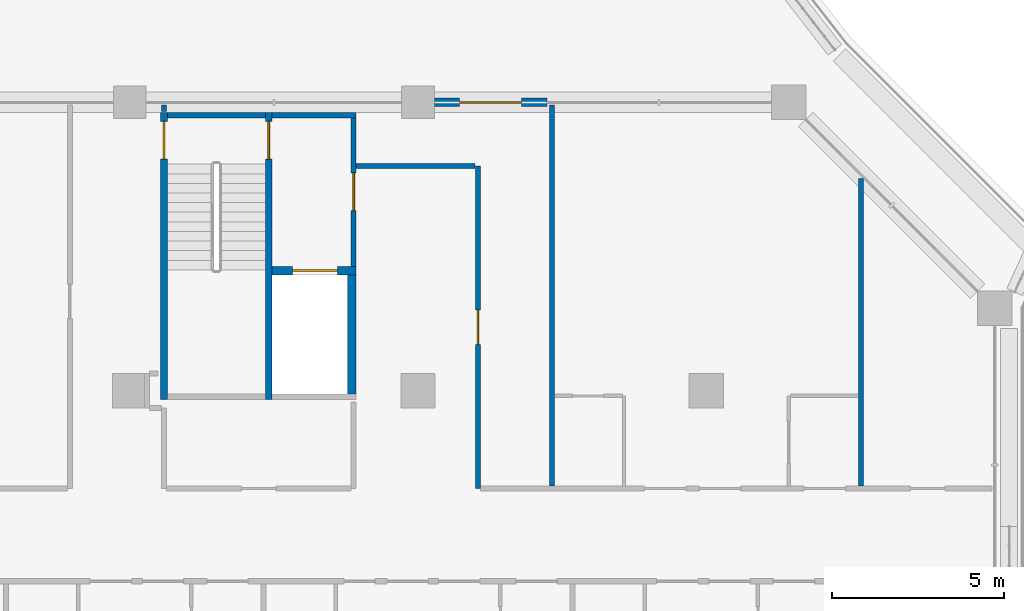
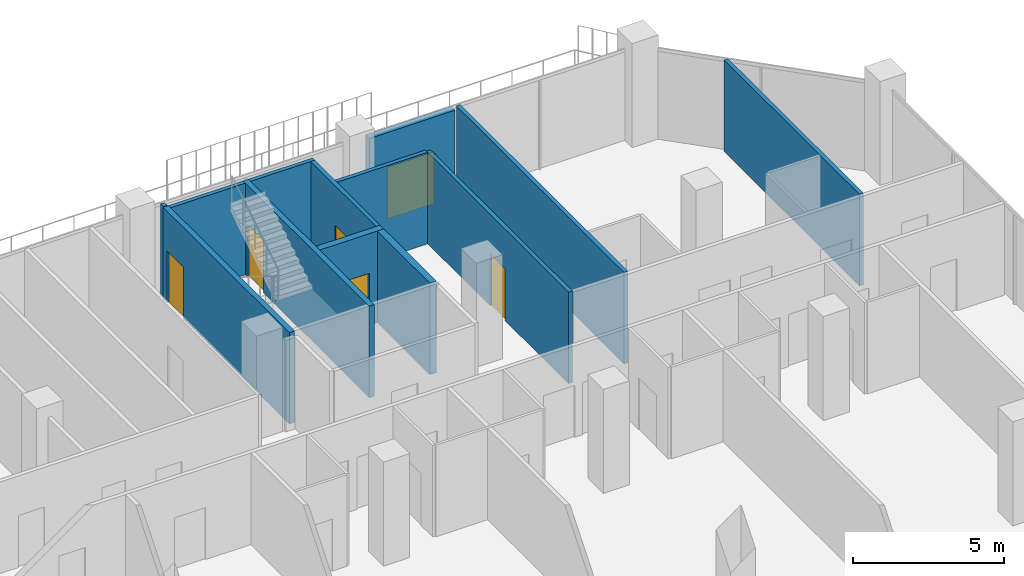
# One storey, part 14 of 22: 13 walls, 6 doors, 6 openings.
"""IFC4 building model written with IfcOpenShell, lengths in metres."""

from ifc_helpers import new_model, si_unit, direction, frame, frame_2d, origin, place, context, subcontext, project, spatial, rectangle, extrude, material, layer, layer_set, type_object, element, fill, save


model = new_model("IFC4")

# Units and contexts
model_context = context("Model", 3, precision=1e-05, world=origin(), true_north=direction((0.0, 1.0)))
body_context = subcontext(model_context, "Body", "Model", "MODEL_VIEW")
ifc_project = project(units=[si_unit("LENGTHUNIT", "METRE"), si_unit("AREAUNIT", "SQUARE_METRE"), si_unit("VOLUMEUNIT", "CUBIC_METRE"), si_unit("PLANEANGLEUNIT", "RADIAN"), si_unit("MASSUNIT", "GRAM", prefix="KILO")], contexts=[model_context])

# Site, building, storey
site_placement = place(None, origin())
site = spatial("IfcSite", under=ifc_project, at=site_placement, CompositionType="ELEMENT")
building_placement = place(site_placement, origin())
building = spatial("IfcBuilding", under=site, at=building_placement, Name="Kawkab Arch Medical Tower", CompositionType="ELEMENT")
storey_placement = place(building_placement, frame((0.0, 0.0, 208.800048828125)))
storey = spatial("IfcBuildingStorey", under=building, at=storey_placement, Name="L48", CompositionType="ELEMENT", Elevation=208.800048828125)

# Wall, opening, door
ifc_material_1 = material(Name="Gypsum board on steel studs", Category="steel")
ifc_layer_1 = layer(ifc_material_1, 0.14990234375)
ifc_layer_set_1 = layer_set([ifc_layer_1], Name="Gypsum board on steel studs")
wall_type_1 = type_object("IfcWallType", Name="Core room partition 150", PredefinedType="PARTITIONING", material=ifc_layer_set_1)
wall_1_placement = place(storey_placement, frame((48.52490234375, -4.77490234375, 0.0), z_axis=(0.0, 0.0, 1.0), x_axis=(0.0, 1.0, 0.0)))
wall_1 = element("IfcWall", 1, at=wall_1_placement, inside=storey, type_object=wall_type_1, Name="L48 core room partition", PredefinedType="PARTITIONING", context=body_context, shape_type="SweptSolid", body=[
    extrude(rectangle(XDim=4.324951171875, YDim=0.14990234375, at=frame_2d((2.16259765625, 0.0))), origin(), (0.0, 0.0, 1.0), 3.699951171875),
])
opening_1_placement = place(wall_1_placement, frame((1.625, 0.0, 0.0)))
opening_1 = element("IfcOpeningElement", 2, at=opening_1_placement, cuts=wall_1, Name="Opening FD", PredefinedType="OPENING", context=body_context, shape_type="SweptSolid", body=[
    extrude(rectangle(XDim=1.10009765625, YDim=2.10009765625, at=frame_2d((0.550048828125, 1.050048828125))), frame((0.0, 0.0849609375, 0.0), z_axis=(0.0, -1.0, 0.0), x_axis=(1.0, 0.0, 0.0)), (0.0, 0.0, 1.0), 0.169921875),
])
ifc_material_2 = material(Name="Hollow metal fire door leaf")
door_type_1 = type_object("IfcDoorType", Name="Firefighting lobby door 1100", OperationType="SINGLE_SWING_LEFT", PredefinedType="DOOR", material=ifc_material_2)
door_1_placement = place(opening_1_placement, origin())
door_1 = element("IfcDoor", 3, at=door_1_placement, inside=storey, type_object=door_type_1, Name="L48 Service lift lobby door SV1", OperationType="SINGLE_SWING_LEFT", OverallHeight=2.10009765625, OverallWidth=1.10009765625, PredefinedType="DOOR", context=body_context, shape_type="SweptSolid", body=[
    extrude(rectangle(XDim=1.10009765625, YDim=2.10009765625, at=frame_2d((0.550048828125, 1.050048828125))), frame((0.0, 0.02490234375, 0.0), z_axis=(0.0, -1.0, 0.0), x_axis=(1.0, 0.0, 0.0)), (0.0, 0.0, 1.0), 0.050048828125),
])
fill(opening_1, door_1)

ifc_material_3 = material(Name="Concrete C60/75", Category="concrete")
ifc_layer_2 = layer(ifc_material_3, 0.25)
ifc_layer_set_2 = layer_set([ifc_layer_2], Name="Concrete C60/75")
wall_type_2 = type_object("IfcWallType", Name="Core shear wall 250 C60/75", PredefinedType="SHEAR", material=ifc_layer_set_2)
wall_2_placement = place(storey_placement, frame((46.14990234375, -4.89990234375, 0.0), z_axis=(0.0, 0.0, 1.0), x_axis=(1.0, 0.0, 0.0)))
wall_2 = element("IfcWall", 4, at=wall_2_placement, inside=storey, type_object=wall_type_2, Name="L48 core shear wall", PredefinedType="SHEAR", context=body_context, shape_type="SweptSolid", body=[
    extrude(rectangle(XDim=2.4501953125, YDim=0.25, at=frame_2d((1.22509765625, 0.0))), origin(), (0.0, 0.0, 1.0), 3.699951171875),
])
opening_2_placement = place(wall_2_placement, frame((0.60009765625, 0.0, 0.0)))
opening_2 = element("IfcOpeningElement", 5, at=opening_2_placement, cuts=wall_2, Name="Opening LD2", PredefinedType="OPENING", context=body_context, shape_type="SweptSolid", body=[
    extrude(rectangle(XDim=1.300048828125, YDim=2.10009765625, at=frame_2d((0.64990234375, 1.050048828125))), frame((0.0, 0.135009765625, 0.0), z_axis=(0.0, -1.0, 0.0), x_axis=(1.0, 0.0, 0.0)), (0.0, 0.0, 1.0), 0.27001953125),
])
ifc_material_4 = material(Name="Stainless steel lift door leaf", Category="steel")
door_type_2 = type_object("IfcDoorType", Name="Lift landing door 1300", OperationType="DOUBLE_DOOR_SLIDING", PredefinedType="DOOR", material=ifc_material_4)
door_2_placement = place(opening_2_placement, origin())
door_2 = element("IfcDoor", 6, at=door_2_placement, inside=storey, type_object=door_type_2, Name="L48 Lift landing door SV1", OperationType="DOUBLE_DOOR_SLIDING", OverallHeight=2.10009765625, OverallWidth=1.300048828125, PredefinedType="DOOR", context=body_context, shape_type="SweptSolid", body=[
    extrude(rectangle(XDim=1.300048828125, YDim=2.10009765625, at=frame_2d((0.64990234375, 1.050048828125))), frame((0.0, 0.02490234375, 0.0), z_axis=(0.0, -1.0, 0.0), x_axis=(1.0, 0.0, 0.0)), (0.0, 0.0, 1.0), 0.050048828125),
])
fill(opening_2, door_2)

# Wall
wall_3_placement = place(storey_placement, frame((48.47509765625, -8.5, 0.0), z_axis=(0.0, 0.0, 1.0), x_axis=(0.0, 1.0, 0.0)))
element("IfcWall", 7, at=wall_3_placement, inside=storey, type_object=wall_type_2, Name="L48 core shear wall", PredefinedType="SHEAR", context=body_context, shape_type="SweptSolid", body=[
    extrude(rectangle(XDim=3.47509765625, YDim=0.25, at=frame_2d((1.737548828125, 0.0))), origin(), (0.0, 0.0, 1.0), 3.699951171875),
])

# Wall, opening, door
ifc_material_5 = material(Name="Bronze clad insulated wall panel")
ifc_layer_3 = layer(ifc_material_5, 0.25)
ifc_layer_set_3 = layer_set([ifc_layer_3], Name="Bronze clad insulated wall panel")
wall_type_3 = type_object("IfcWallType", Name="External wall bay 250", PredefinedType="SOLIDWALL", material=ifc_layer_set_3)
wall_4_placement = place(storey_placement, frame((54.14990234375, 0.0, 0.0), z_axis=(0.0, 0.0, 1.0), x_axis=(-1.0, 0.0, 0.0)))
wall_4 = element("IfcWall", 8, at=wall_4_placement, inside=storey, type_object=wall_type_3, Name="External wall bay L48.R11.1.3", PredefinedType="SOLIDWALL", context=body_context, shape_type="SweptSolid", body=[
    extrude(rectangle(XDim=3.27490234375, YDim=0.25, at=frame_2d((1.637451171875, 0.0))), origin(), (0.0, 0.0, 1.0), 3.579833984375),
])
opening_3_placement = place(wall_4_placement, frame((0.737548828125, 0.0, 0.0)))
opening_3 = element("IfcOpeningElement", 9, at=opening_3_placement, cuts=wall_4, Name="Opening W43-701", PredefinedType="OPENING", context=body_context, shape_type="SweptSolid", body=[
    extrude(rectangle(XDim=1.800048828125, YDim=2.10009765625, at=frame_2d((0.89990234375, 1.050048828125))), frame((0.0, 0.135009765625, 0.0), z_axis=(0.0, -1.0, 0.0), x_axis=(1.0, 0.0, 0.0)), (0.0, 0.0, 1.0), 0.27001953125),
])
ifc_material_6 = material(Name="Bronze anodised aluminium door with tinted glass", Category="aluminium")
door_type_3 = type_object("IfcDoorType", Name="Double external door 1800 x 2100", OperationType="DOUBLE_DOOR_SINGLE_SWING", PredefinedType="DOOR", material=ifc_material_6)
door_3_placement = place(opening_3_placement, origin())
door_3 = element("IfcDoor", 10, at=door_3_placement, inside=storey, type_object=door_type_3, Name="External door L48.R11.1.3", OperationType="DOUBLE_DOOR_SINGLE_SWING", OverallHeight=2.10009765625, OverallWidth=1.800048828125, PredefinedType="DOOR", context=body_context, shape_type="SweptSolid", body=[
    extrude(rectangle(XDim=1.800048828125, YDim=2.10009765625, at=frame_2d((0.89990234375, 1.050048828125))), frame((0.0, 0.02490234375, 0.0), z_axis=(0.0, -1.0, 0.0), x_axis=(1.0, 0.0, 0.0)), (0.0, 0.0, 1.0), 0.050048828125),
])
fill(opening_3, door_3)

# Walls
ifc_material_7 = material(Name="Gypsum board partition on steel studs, mineral wool", Category="steel")
ifc_layer_4 = layer(ifc_material_7, 0.14990234375)
ifc_layer_set_4 = layer_set([ifc_layer_4], Name="Gypsum board partition on steel studs, mineral wool")
wall_type_4 = type_object("IfcWallType", Name="Partition 150", PredefinedType="PARTITIONING", material=ifc_layer_set_4)
wall_5_placement = place(storey_placement, frame((48.60009765625, -1.85009765625, 0.0), z_axis=(0.0, 0.0, 1.0), x_axis=(1.0, 0.0, 0.0)))
element("IfcWall", 11, at=wall_5_placement, inside=storey, type_object=wall_type_4, Name="Partition 150 w041", PredefinedType="PARTITIONING", context=body_context, shape_type="SweptSolid", body=[
    extrude(rectangle(XDim=3.4658203125, YDim=0.14990234375, at=frame_2d((1.73291015625, 0.0))), origin(), (0.0, 0.0, 1.0), 3.699951171875),
])
wall_6_placement = place(storey_placement, frame((43.0, -0.27001953125, 0.0), z_axis=(0.0, 0.0, 1.0), x_axis=(0.0, 1.0, 0.0)))
element("IfcWall", 12, at=wall_6_placement, inside=storey, type_object=wall_type_4, Name="Partition 150 w063", PredefinedType="PARTITIONING", context=body_context, shape_type="SweptSolid", body=[
    extrude(rectangle(XDim=0.18994140625, YDim=0.14990234375, at=frame_2d((0.094970703125, 0.0))), origin(), (0.0, 0.0, 1.0), 3.699951171875),
])

# Wall, opening, door
wall_7_placement = place(storey_placement, frame((52.14306640625, -11.25, 0.0), z_axis=(0.0, 0.0, 1.0), x_axis=(0.0, 1.0, 0.0)))
wall_7 = element("IfcWall", 13, at=wall_7_placement, inside=storey, type_object=wall_type_4, Name="Partition 150 w066", PredefinedType="PARTITIONING", context=body_context, shape_type="SweptSolid", body=[
    extrude(rectangle(XDim=9.39794921875, YDim=0.14990234375, at=frame_2d((4.698974609375, 0.0))), origin(), (0.0, 0.0, 1.0), 3.699951171875),
])
opening_4_placement = place(wall_7_placement, frame((4.198974609375, 0.0, 0.0)))
opening_4 = element("IfcOpeningElement", 14, at=opening_4_placement, cuts=wall_7, Name="Opening W43-014", PredefinedType="OPENING", context=body_context, shape_type="SweptSolid", body=[
    extrude(rectangle(XDim=1.0, YDim=2.10009765625, at=frame_2d((0.5, 1.050048828125))), frame((0.0, 0.0849609375, 0.0), z_axis=(0.0, -1.0, 0.0), x_axis=(1.0, 0.0, 0.0)), (0.0, 0.0, 1.0), 0.169921875),
])
ifc_material_8 = material(Name="Hollow metal door leaf")
door_type_4 = type_object("IfcDoorType", Name="Single door 1000x2100 FD30S", OperationType="NOTDEFINED", PredefinedType="DOOR", material=ifc_material_8)
door_4_placement = place(opening_4_placement, origin())
door_4 = element("IfcDoor", 15, at=door_4_placement, inside=storey, type_object=door_type_4, Name="Door W43-014", OperationType="SINGLE_SWING_LEFT", OverallHeight=2.10009765625, OverallWidth=1.0, PredefinedType="DOOR", context=body_context, shape_type="SweptSolid", body=[
    extrude(rectangle(XDim=1.0, YDim=2.10009765625, at=frame_2d((0.5, 1.050048828125))), frame((0.0, 0.02490234375, 0.0), z_axis=(0.0, -1.0, 0.0), x_axis=(1.0, 0.0, 0.0)), (0.0, 0.0, 1.0), 0.050048828125),
])
fill(opening_4, door_4)

# Walls
wall_8_placement = place(storey_placement, frame((54.300048828125, -11.175048828125, 0.0), z_axis=(0.0, 0.0, 1.0), x_axis=(0.0, 1.0, 0.0)))
element("IfcWall", 16, at=wall_8_placement, inside=storey, type_object=wall_type_4, Name="Partition 150 w067", PredefinedType="PARTITIONING", context=body_context, shape_type="SweptSolid", body=[
    extrude(rectangle(XDim=11.094970703125, YDim=0.14990234375, at=frame_2d((5.54736328125, 0.0))), origin(), (0.0, 0.0, 1.0), 3.699951171875),
])
wall_9_placement = place(storey_placement, frame((63.300048828125, -11.175048828125, 0.0), z_axis=(0.0, 0.0, 1.0), x_axis=(0.0, 1.0, 0.0)))
element("IfcWall", 17, at=wall_9_placement, inside=storey, type_object=wall_type_4, Name="Partition 150 w070", PredefinedType="PARTITIONING", context=body_context, shape_type="SweptSolid", body=[
    extrude(rectangle(XDim=8.962158203125, YDim=0.14990234375, at=frame_2d((4.48095703125, 0.0))), origin(), (0.0, 0.0, 1.0), 3.699951171875),
])
ifc_material_9 = material(Name="Concrete C50/60", Category="concrete")
ifc_layer_5 = layer(ifc_material_9, 0.14990234375)
ifc_layer_set_5 = layer_set([ifc_layer_5], Name="Concrete C50/60")
wall_type_5 = type_object("IfcWallType", Name="Stair enclosure wall 150 C50/60", PredefinedType="SHEAR", material=ifc_layer_set_5)
wall_10_placement = place(storey_placement, frame((43.10009765625, -0.375, 0.0), z_axis=(0.0, 0.0, 1.0), x_axis=(1.0, 0.0, 0.0)))
element("IfcWall", 18, at=wall_10_placement, inside=storey, type_object=wall_type_5, Name="L48 stair enclosure wall", PredefinedType="SHEAR", context=body_context, shape_type="SweptSolid", body=[
    extrude(rectangle(XDim=2.849853515625, YDim=0.14990234375, at=frame_2d((1.4248046875, 0.0))), origin(), (0.0, 0.0, 1.0), 3.699951171875),
])
wall_11_placement = place(storey_placement, frame((46.14990234375, -0.375, 0.0), z_axis=(0.0, 0.0, 1.0), x_axis=(1.0, 0.0, 0.0)))
element("IfcWall", 19, at=wall_11_placement, inside=storey, type_object=wall_type_5, Name="L48 stair enclosure wall", PredefinedType="SHEAR", context=body_context, shape_type="SweptSolid", body=[
    extrude(rectangle(XDim=2.4501953125, YDim=0.14990234375, at=frame_2d((1.22509765625, 0.0))), origin(), (0.0, 0.0, 1.0), 3.699951171875),
])

# Wall, opening, door
ifc_material_10 = material(Name="Concrete C50/60", Category="concrete")
ifc_layer_6 = layer(ifc_material_10, 0.199951171875)
ifc_layer_set_6 = layer_set([ifc_layer_6], Name="Concrete C50/60")
wall_type_6 = type_object("IfcWallType", Name="Stair enclosure wall 200 C50/60", PredefinedType="SHEAR", material=ifc_layer_set_6)
wall_12_placement = place(storey_placement, frame((43.0, -8.64990234375, 0.0), z_axis=(0.0, 0.0, 1.0), x_axis=(0.0, 1.0, 0.0)))
wall_12 = element("IfcWall", 20, at=wall_12_placement, inside=storey, type_object=wall_type_6, Name="L48 stair enclosure wall", PredefinedType="SHEAR", context=body_context, shape_type="SweptSolid", body=[
    extrude(rectangle(XDim=8.349853515625, YDim=0.199951171875, at=frame_2d((4.1748046875, 0.0))), origin(), (0.0, 0.0, 1.0), 3.699951171875),
])
opening_5_placement = place(wall_12_placement, frame((7.0, 0.0, 0.0)))
opening_5 = element("IfcOpeningElement", 21, at=opening_5_placement, cuts=wall_12, Name="Opening SD", PredefinedType="OPENING", context=body_context, shape_type="SweptSolid", body=[
    extrude(rectangle(XDim=1.10009765625, YDim=2.10009765625, at=frame_2d((0.550048828125, 1.050048828125))), frame((0.0, 0.10986328125, 0.0), z_axis=(0.0, -1.0, 0.0), x_axis=(1.0, 0.0, 0.0)), (0.0, 0.0, 1.0), 0.219970703125),
])
ifc_material_11 = material(Name="Hollow metal fire door leaf")
door_type_5 = type_object("IfcDoorType", Name="Exit stair door 1100", OperationType="SINGLE_SWING_LEFT", PredefinedType="DOOR", material=ifc_material_11)
door_5_placement = place(opening_5_placement, frame((1.10009765625, 0.0, 0.0), z_axis=(0.0, 0.0, 1.0), x_axis=(-1.0, 0.0, 0.0)))
door_5 = element("IfcDoor", 22, at=door_5_placement, inside=storey, type_object=door_type_5, Name="L48 Exit stair ST5 door", OperationType="SINGLE_SWING_LEFT", OverallHeight=2.10009765625, OverallWidth=1.10009765625, PredefinedType="DOOR", context=body_context, shape_type="SweptSolid", body=[
    extrude(rectangle(XDim=1.10009765625, YDim=2.10009765625, at=frame_2d((0.550048828125, 1.050048828125))), frame((0.0, 0.02490234375, 0.0), z_axis=(0.0, -1.0, 0.0), x_axis=(1.0, 0.0, 0.0)), (0.0, 0.0, 1.0), 0.050048828125),
])
fill(opening_5, door_5)

wall_13_placement = place(storey_placement, frame((46.050048828125, -8.64990234375, 0.0), z_axis=(0.0, 0.0, 1.0), x_axis=(0.0, 1.0, 0.0)))
wall_13 = element("IfcWall", 23, at=wall_13_placement, inside=storey, type_object=wall_type_6, Name="L48 stair enclosure wall", PredefinedType="SHEAR", context=body_context, shape_type="SweptSolid", body=[
    extrude(rectangle(XDim=8.349853515625, YDim=0.199951171875, at=frame_2d((4.1748046875, 0.0))), origin(), (0.0, 0.0, 1.0), 3.699951171875),
])
opening_6_placement = place(wall_13_placement, frame((7.0, 0.0, 0.0)))
opening_6 = element("IfcOpeningElement", 24, at=opening_6_placement, cuts=wall_13, Name="Opening SD", PredefinedType="OPENING", context=body_context, shape_type="SweptSolid", body=[
    extrude(rectangle(XDim=1.10009765625, YDim=2.10009765625, at=frame_2d((0.550048828125, 1.050048828125))), frame((0.0, 0.10986328125, 0.0), z_axis=(0.0, -1.0, 0.0), x_axis=(1.0, 0.0, 0.0)), (0.0, 0.0, 1.0), 0.219970703125),
])
door_6_placement = place(opening_6_placement, origin())
door_6 = element("IfcDoor", 25, at=door_6_placement, inside=storey, type_object=door_type_5, Name="L48 Exit stair ST5 lobby door", OperationType="SINGLE_SWING_LEFT", OverallHeight=2.10009765625, OverallWidth=1.10009765625, PredefinedType="DOOR", context=body_context, shape_type="SweptSolid", body=[
    extrude(rectangle(XDim=1.10009765625, YDim=2.10009765625, at=frame_2d((0.550048828125, 1.050048828125))), frame((0.0, 0.02490234375, 0.0), z_axis=(0.0, -1.0, 0.0), x_axis=(1.0, 0.0, 0.0)), (0.0, 0.0, 1.0), 0.050048828125),
])
fill(opening_6, door_6)

save(model, "model.ifc")
